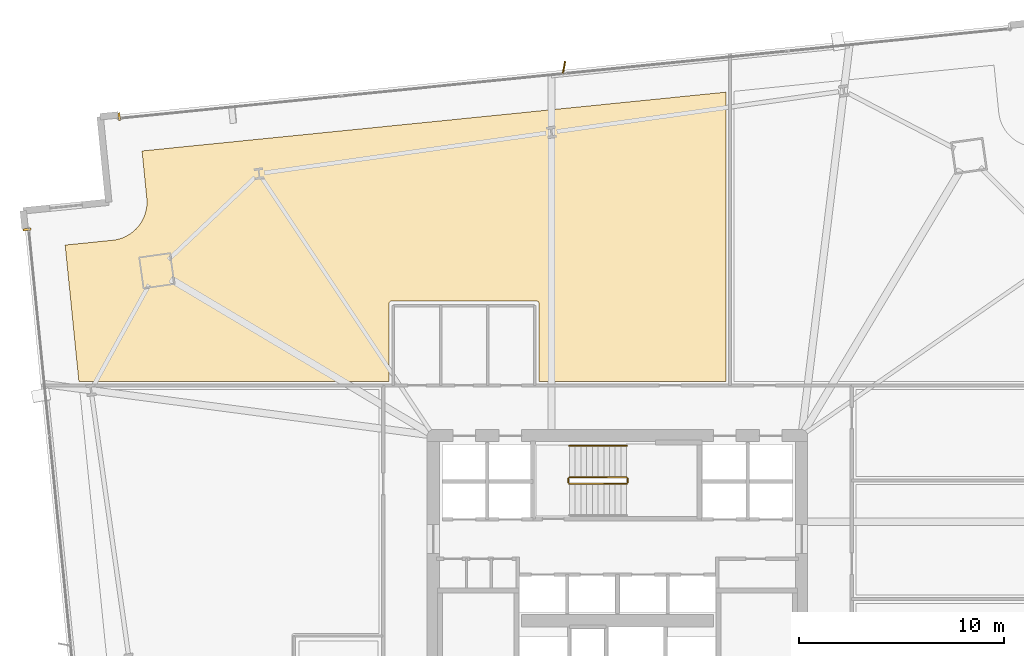
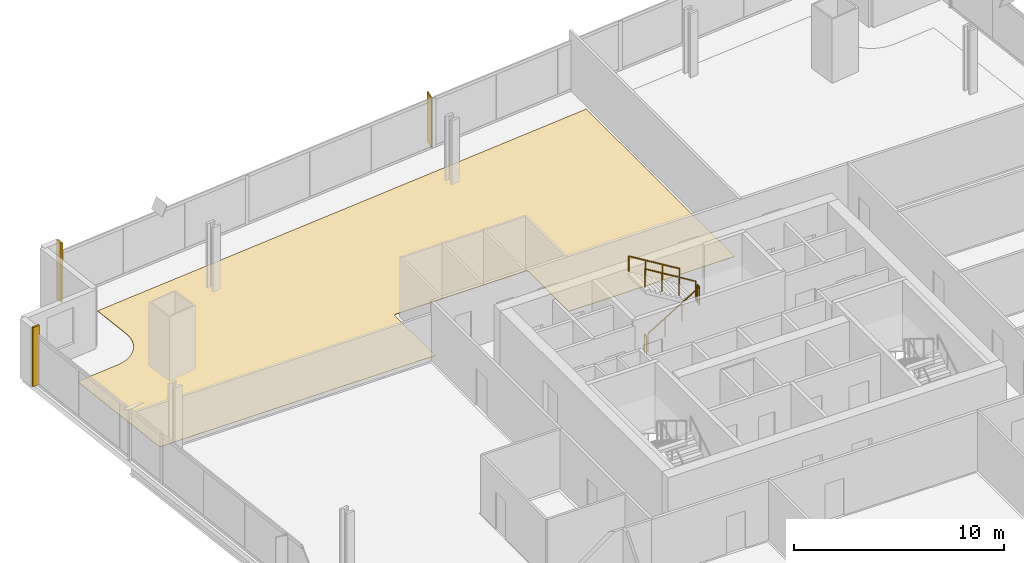
# One storey, part 32 of 33: 5 railings, 3 coverings, 1 shading device.
"""IFC4 building model written with IfcOpenShell, lengths in metres."""

from ifc_helpers import new_model, si_unit, direction, frame, origin, origin_2d, place, context, subcontext, project, spatial, polyline, rectangle, outline, extrude, source, transform, mapped, material, layer, layer_set, type_object, element, save


model = new_model("IFC4")

# Units and contexts
model_context = context("Model", 3, precision=1e-05, world=origin(), true_north=direction((0.0, 1.0)))
body_context = subcontext(model_context, "Body", "Model", "MODEL_VIEW")
ifc_project = project(units=[si_unit("LENGTHUNIT", "METRE"), si_unit("AREAUNIT", "SQUARE_METRE"), si_unit("VOLUMEUNIT", "CUBIC_METRE"), si_unit("PLANEANGLEUNIT", "RADIAN"), si_unit("MASSUNIT", "GRAM", prefix="KILO")], contexts=[model_context])

# Site, building, storey
site_placement = place(None, origin())
site = spatial("IfcSite", under=ifc_project, at=site_placement, CompositionType="ELEMENT")
building_placement = place(site_placement, origin())
building = spatial("IfcBuilding", under=site, at=building_placement, Name="Haldenkirk Collegiate Tower", CompositionType="ELEMENT")
storey_placement = place(building_placement, frame((0.0, 0.0, 47.699951171875)))
storey = spatial("IfcBuildingStorey", under=building, at=storey_placement, Name="L10", CompositionType="ELEMENT", Elevation=47.699951171875)

# Covering
ifc_material_1 = material(Name="Engineered collegiate oak acoustic flooring", Category="wood")
ifc_layer_1 = layer(ifc_material_1, 0.02197265625)
ifc_layer_set_1 = layer_set([ifc_layer_1], Name="Engineered collegiate oak acoustic flooring")
covering_type_1 = type_object("IfcCoveringType", Name="COV-FLOOR-TIMBER", PredefinedType="FLOORING", material=ifc_layer_set_1)
covering_placement = place(storey_placement, origin())
element("IfcCovering", 1, at=covering_placement, inside=storey, type_object=covering_type_1, Name="L10 academic room finish 07", PredefinedType="FLOORING", context=body_context, shape_type="SweptSolid", body=[
    extrude(outline(polyline([(11.31787109375, 43.54541015625), (11.32373046875, 43.546142578125), (11.49365234375, 43.57177734375), (11.505126953125, 43.57421875), (11.671630859375, 43.6162109375), (11.68310546875, 43.61962890625), (11.844482421875, 43.677734375), (11.855224609375, 43.682373046875), (12.010498046875, 43.756103515625), (12.02099609375, 43.76171875), (12.16796875, 43.850341796875), (12.177734375, 43.85693359375), (12.3154296875, 43.95947265625), (12.324462890625, 43.967041015625), (12.451416015625, 44.08251953125), (12.459716796875, 44.0908203125), (12.574951171875, 44.218505859375), (12.582275390625, 44.2275390625), (12.684326171875, 44.365478515625), (12.69091796875, 44.37548828125), (12.77880859375, 44.52294921875), (12.784423828125, 44.533447265625), (12.857421875, 44.688720703125), (12.86181640625, 44.69970703125), (12.91943359375, 44.861572265625), (12.9228515625, 44.872802734375), (12.964111328125, 45.039306640625), (12.96630859375, 45.051025390625), (12.9912109375, 45.220947265625), (12.992431640625, 45.232666015625), (13.00048828125, 45.404052734375), (13.00048828125, 45.416015625), (12.99169921875, 45.58740234375), (12.9912109375, 45.59326171875), (12.7578125, 47.91162109375), (41.300048828125, 50.78564453125), (41.300048828125, 36.64990234375), (32.169921875, 36.64990234375), (32.169921875, 40.449951171875), (32.16943359375, 40.4619140625), (32.167724609375, 40.473388671875), (32.164794921875, 40.48486328125), (32.160888671875, 40.495849609375), (32.15576171875, 40.506591796875), (32.14990234375, 40.5166015625), (32.142822265625, 40.526123046875), (32.135009765625, 40.534912109375), (32.126220703125, 40.542724609375), (32.11669921875, 40.5498046875), (32.106689453125, 40.555908203125), (32.095947265625, 40.560791015625), (32.084716796875, 40.564697265625), (32.073486328125, 40.567626953125), (32.061767578125, 40.5693359375), (32.050048828125, 40.570068359375), (24.949951171875, 40.570068359375), (24.938232421875, 40.5693359375), (24.926513671875, 40.567626953125), (24.915283203125, 40.564697265625), (24.904052734375, 40.560791015625), (24.893310546875, 40.555908203125), (24.88330078125, 40.5498046875), (24.873779296875, 40.542724609375), (24.864990234375, 40.534912109375), (24.857177734375, 40.526123046875), (24.85009765625, 40.5166015625), (24.84423828125, 40.506591796875), (24.839111328125, 40.495849609375), (24.835205078125, 40.48486328125), (24.832275390625, 40.473388671875), (24.83056640625, 40.4619140625), (24.830078125, 40.449951171875), (24.830078125, 36.64990234375), (9.67041015625, 36.64990234375), (8.999755859375, 43.31201171875), (11.31787109375, 43.54541015625)])), origin(), (0.0, 0.0, 1.0), 0.02197265625),
])

# Railings
ifc_material_2 = material(Name="Painted architectural tubular steel", Category="steel")
railing_type_1 = type_object("IfcRailingType", Name="RLG-STAIR-GUARD-1100", PredefinedType="BALUSTRADE", material=ifc_material_2)
railing_1_placement = place(storey_placement, frame((33.64990234375, 31.64990234375, 0.17041015625)))
element("IfcRailing", 2, at=railing_1_placement, inside=storey, type_object=railing_type_1, Name="L10 ST-3 stair guard 1", PredefinedType="BALUSTRADE", context=body_context, shape_type="SweptSolid", body=[
    extrude(rectangle(XDim=0.048095703125, YDim=0.048095703125, at=origin_2d()), frame((0.0, 0.0, 1.076171875), z_axis=(0.854169791009, 0.0, 0.51999420009), x_axis=(0.0, 1.0, 0.0)), (0.0, 0.0, 1.0), 3.278076171875),
    extrude(rectangle(XDim=0.0419921875, YDim=0.0419921875, at=origin_2d()), origin(), (0.0, 0.0, 1.0), 1.052001953125),
    extrude(rectangle(XDim=0.0419921875, YDim=0.0419921875, at=origin_2d()), frame((0.933349609375, 0.0, 0.568115234375)), (0.0, 0.0, 1.0), 1.052001953125),
    extrude(rectangle(XDim=0.0419921875, YDim=0.0419921875, at=origin_2d()), frame((1.86669921875, 0.0, 1.136474609375)), (0.0, 0.0, 1.0), 1.052001953125),
    extrude(rectangle(XDim=0.0419921875, YDim=0.0419921875, at=origin_2d()), frame((2.800048828125, 0.0, 1.70458984375)), (0.0, 0.0, 1.0), 1.052001953125),
])
railing_2_placement = place(storey_placement, frame((36.5, 31.699951171875, 1.875)))
element("IfcRailing", 3, at=railing_2_placement, inside=storey, type_object=railing_type_1, Name="L10 ST-3 stair guard 2", PredefinedType="BALUSTRADE", context=body_context, shape_type="SweptSolid", body=[
    extrude(rectangle(XDim=0.048095703125, YDim=0.048095703125, at=origin_2d()), frame((0.0, 0.0, 1.076171875), z_axis=(0.0, 1.0, 0.0), x_axis=(-1.0, 0.0, 0.0)), (0.0, 0.0, 1.0), 0.199951171875),
    extrude(rectangle(XDim=0.0419921875, YDim=0.0419921875, at=origin_2d()), origin(), (0.0, 0.0, 1.0), 1.052001953125),
    extrude(rectangle(XDim=0.0419921875, YDim=0.0419921875, at=origin_2d()), frame((0.0, 0.199951171875, 0.0)), (0.0, 0.0, 1.0), 1.052001953125),
])
railing_3_placement = place(storey_placement, frame((36.449951171875, 31.949951171875, 2.04541015625)))
element("IfcRailing", 4, at=railing_3_placement, inside=storey, type_object=railing_type_1, Name="L10 ST-3 stair guard 3", PredefinedType="BALUSTRADE", context=body_context, shape_type="SweptSolid", body=[
    extrude(rectangle(XDim=0.048095703125, YDim=0.048095703125, at=origin_2d()), frame((0.0, 0.0, 1.076171875), z_axis=(-0.854169791009, 0.0, 0.51999420009), x_axis=(0.0, -1.0, 0.0)), (0.0, 0.0, 1.0), 3.278076171875),
    extrude(rectangle(XDim=0.0419921875, YDim=0.0419921875, at=origin_2d()), origin(), (0.0, 0.0, 1.0), 1.052001953125),
    extrude(rectangle(XDim=0.0419921875, YDim=0.0419921875, at=origin_2d()), frame((-0.933349609375, 0.0, 0.568115234375)), (0.0, 0.0, 1.0), 1.052001953125),
    extrude(rectangle(XDim=0.0419921875, YDim=0.0419921875, at=origin_2d()), frame((-1.86669921875, 0.0, 1.136474609375)), (0.0, 0.0, 1.0), 1.052001953125),
    extrude(rectangle(XDim=0.0419921875, YDim=0.0419921875, at=origin_2d()), frame((-2.800048828125, 0.0, 1.70458984375)), (0.0, 0.0, 1.0), 1.052001953125),
])
railing_4_placement = place(storey_placement, frame((33.60009765625, 31.699951171875, 0.0)))
element("IfcRailing", 5, at=railing_4_placement, inside=storey, type_object=railing_type_1, Name="L10 ST-3 stair guard 4", PredefinedType="BALUSTRADE", context=body_context, shape_type="SweptSolid", body=[
    extrude(rectangle(XDim=0.048095703125, YDim=0.048095703125, at=origin_2d()), frame((0.0, 0.0, 1.076171875), z_axis=(0.0, 1.0, 0.0), x_axis=(-1.0, 0.0, 0.0)), (0.0, 0.0, 1.0), 0.199951171875),
    extrude(rectangle(XDim=0.0419921875, YDim=0.0419921875, at=origin_2d()), origin(), (0.0, 0.0, 1.0), 1.052001953125),
    extrude(rectangle(XDim=0.0419921875, YDim=0.0419921875, at=origin_2d()), frame((0.0, 0.199951171875, 0.0)), (0.0, 0.0, 1.0), 1.052001953125),
])
railing_type_2 = type_object("IfcRailingType", Name="RLG-STAIR-HANDRAIL-900", PredefinedType="HANDRAIL", material=ifc_material_2)
railing_5_placement = place(storey_placement, frame((36.449951171875, 33.5, 2.04541015625)))
element("IfcRailing", 6, at=railing_5_placement, inside=storey, type_object=railing_type_2, Name="L10 ST-3 stair handrail 2", PredefinedType="HANDRAIL", context=body_context, shape_type="SweptSolid", body=[
    extrude(rectangle(XDim=0.048095703125, YDim=0.048095703125, at=origin_2d()), frame((0.0, 0.0, 0.8759765625), z_axis=(-0.854169791009, 0.0, 0.51999420009), x_axis=(0.0, -1.0, 0.0)), (0.0, 0.0, 1.0), 3.278076171875),
    extrude(rectangle(XDim=0.0419921875, YDim=0.0419921875, at=origin_2d()), origin(), (0.0, 0.0, 1.0), 0.851806640625),
    extrude(rectangle(XDim=0.0419921875, YDim=0.0419921875, at=origin_2d()), frame((-0.933349609375, 0.0, 0.568115234375)), (0.0, 0.0, 1.0), 0.851806640625),
    extrude(rectangle(XDim=0.0419921875, YDim=0.0419921875, at=origin_2d()), frame((-1.86669921875, 0.0, 1.136474609375)), (0.0, 0.0, 1.0), 0.851806640625),
    extrude(rectangle(XDim=0.0419921875, YDim=0.0419921875, at=origin_2d()), frame((-2.800048828125, 0.0, 1.70458984375)), (0.0, 0.0, 1.0), 0.851806640625),
])

# Coverings
ifc_material_3 = material(Name="Anodised architectural bronze aluminium", Category="aluminium")
ifc_layer_2 = layer(ifc_material_3, 0.06005859375)
ifc_layer_set_2 = layer_set([ifc_layer_2], Name="Anodised architectural bronze aluminium")
covering_type_2 = type_object("IfcCoveringType", Name="COV-CLAD-BRONZE-60", PredefinedType="CLADDING", material=ifc_layer_set_2)
shared_shape_1 = source(origin(), body_context, "Body", "SweptSolid", [
    extrude(rectangle(XDim=0.10009765625, YDim=0.3798828125, at=origin_2d()), origin(), (0.0, 0.0, 1.0), 3.43994140625),
])
for number, where, z_axis, x_axis, name in (
    (7, (11.644287109375, 49.588623046875, 0.0), (0.0, 0.0, 1.0), (0.994968518251, 0.100188061612, 0.0), "L10 recessed curtain-wall bronze jamb closure NJL"),
    (8, (7.134521484375, 44.06884765625, 0.0), (0.0, 0.0, 1.0), (-0.100188061612, 0.994968518251, 0.0), "L10 recessed curtain-wall bronze jamb closure WJR"),
):
    element("IfcCovering", number, at=place(storey_placement, frame(where, z_axis=z_axis, x_axis=x_axis)), inside=storey, type_object=covering_type_2, Name=name, PredefinedType="CLADDING", context=body_context, shape_type="MappedRepresentation", body=[
        mapped(shared_shape_1, transform((0.0, 0.0, 0.0), x_axis=(1.0, 0.0, 0.0), y_axis=(0.0, 1.0, 0.0), z_axis=(0.0, 0.0, 1.0), scale=1.0)),
    ])

# Shading device
ifc_layer_3 = layer(ifc_material_3, 0.06494140625)
ifc_layer_set_3 = layer_set([ifc_layer_3], Name="Anodised architectural bronze aluminium")
shading_device_type = type_object("IfcShadingDeviceType", Name="SHD-FIN-BRONZE-620", PredefinedType="USERDEFINED", material=ifc_layer_set_3)
shared_shape_2 = source(origin(), body_context, "Body", "SweptSolid", [
    extrude(rectangle(XDim=0.6201171875, YDim=0.06494140625, at=origin_2d()), origin(), (0.0, 0.0, 1.0), 2.89111328125),
])
shading_device_placement = place(storey_placement, frame((33.383544921875, 51.983642578125, 0.0), z_axis=(0.0, 0.0, 1.0), x_axis=(0.177943545474, 0.984040697646, 0.0)))
element("IfcShadingDevice", 9, at=shading_device_placement, inside=storey, type_object=shading_device_type, Name="L10 folded bronze solar fin 1", ObjectType="FIN", PredefinedType="USERDEFINED", context=body_context, shape_type="MappedRepresentation", body=[
    mapped(shared_shape_2, transform((0.0, 0.0, 0.0), x_axis=(1.0, 0.0, 0.0), y_axis=(0.0, 1.0, 0.0), z_axis=(0.0, 0.0, 1.0), scale=1.0)),
])

save(model, "model.ifc")
